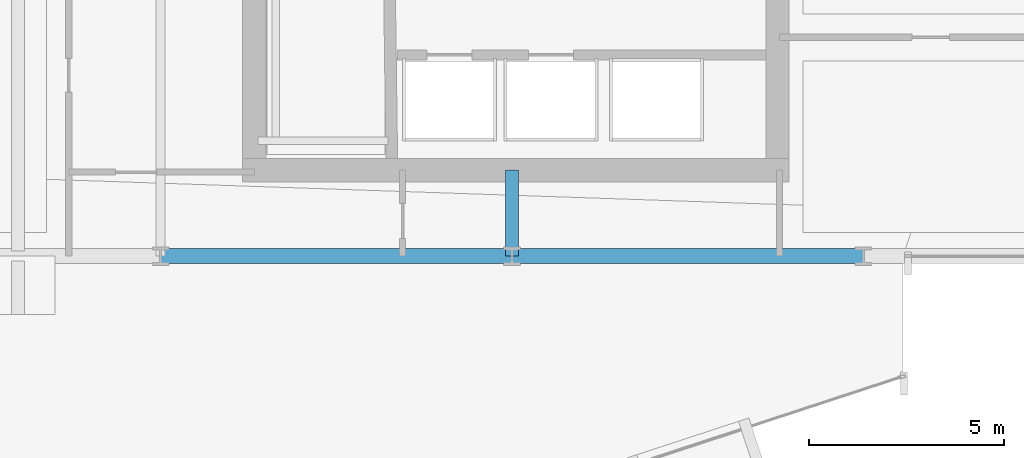
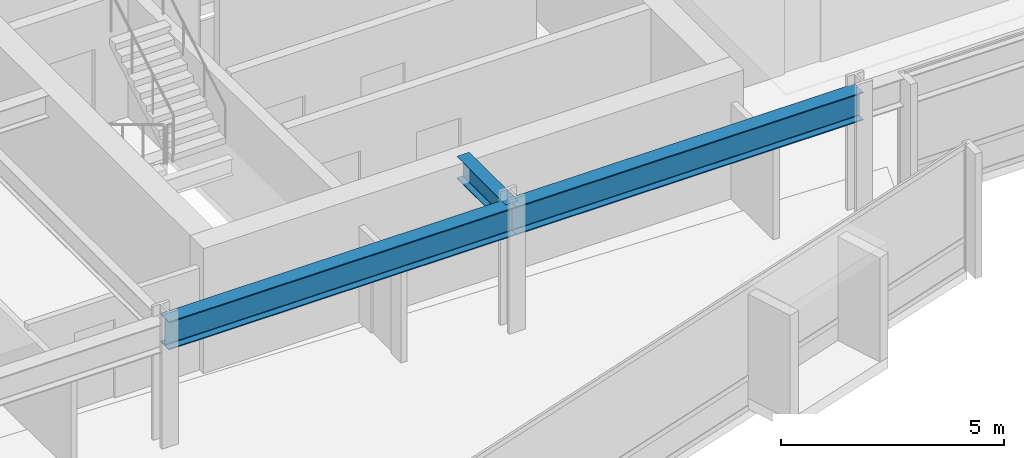
# One storey, part 11 of 34: 3 beams.
"""IFC4 building model written with IfcOpenShell, lengths in metres."""

from ifc_helpers import new_model, si_unit, direction, frame, origin, origin_2d, place, context, subcontext, project, spatial, i_section, extrude, material, material_profile, profile_set, type_object, element, save


model = new_model("IFC4")

# Units and contexts
model_context = context("Model", 3, precision=1e-05, world=origin(), true_north=direction((0.0, 1.0)))
body_context = subcontext(model_context, "Body", "Model", "MODEL_VIEW")
ifc_project = project(units=[si_unit("LENGTHUNIT", "METRE"), si_unit("AREAUNIT", "SQUARE_METRE"), si_unit("VOLUMEUNIT", "CUBIC_METRE"), si_unit("PLANEANGLEUNIT", "RADIAN"), si_unit("MASSUNIT", "GRAM", prefix="KILO")], contexts=[model_context])

# Site, building, storey
site_placement = place(None, origin())
site = spatial("IfcSite", under=ifc_project, at=site_placement, CompositionType="ELEMENT")
building_placement = place(site_placement, origin())
building = spatial("IfcBuilding", under=site, at=building_placement, Name="Solvaryn Broadcast Tower", CompositionType="ELEMENT")
storey_placement = place(building_placement, frame((0.0, 0.0, 76.699951171875)))
storey = spatial("IfcBuildingStorey", under=building, at=storey_placement, Name="L18", CompositionType="ELEMENT", Elevation=76.699951171875)

# Beams
ifc_material_1 = material(Name="Steel ASTM A992 Grade 50", Category="steel")
ifc_material_profile_1 = material_profile(ifc_material_1, i_section(OverallWidth=0.323974609375, OverallDepth=0.611083984375, WebThickness=0.0126953125, FlangeThickness=0.01904296875, FilletRadius=0.014892578125, at=origin_2d()))
ifc_profile_set_1 = profile_set([ifc_material_profile_1], Name="Steel ASTM A992 Grade 50")
beam_type_1 = type_object("IfcBeamType", Name="BM-B1-W24X104", PredefinedType="BEAM", material=ifc_profile_set_1)
beam_placement = place(storey_placement, frame((36.0, 9.0, 3.114501953125), z_axis=(0.0, 1.0, 0.0), x_axis=(-1.0, 0.0, 0.0)))
element("IfcBeam", 1, at=beam_placement, inside=storey, type_object=beam_type_1, Name="L18 Core Tie Beam CTE1", PredefinedType="BEAM", context=body_context, shape_type="SweptSolid", body=[
    extrude(i_section(OverallWidth=0.323974609375, OverallDepth=0.611083984375, WebThickness=0.0126953125, FlangeThickness=0.01904296875, FilletRadius=0.014892578125, at=origin_2d()), origin(), (0.0, 0.0, 1.0), 2.199951171875),
])
ifc_material_2 = material(Name="Steel ASTM A992 Grade 50", Category="steel")
ifc_material_profile_2 = material_profile(ifc_material_2, i_section(OverallWidth=0.381103515625, OverallDepth=0.77294921875, WebThickness=0.0166015625, FlangeThickness=0.027099609375, FilletRadius=0.01806640625, at=origin_2d()))
ifc_profile_set_2 = profile_set([ifc_material_profile_2], Name="Steel ASTM A992 Grade 50")
beam_type_2 = type_object("IfcBeamType", Name="BM-SP1-W30X173", PredefinedType="USERDEFINED", material=ifc_profile_set_2)
for number, where, z_axis, x_axis, name in (
    (2, (27.0, 9.0, 3.033447265625), (1.0, 0.0, 0.0), (0.0, 1.0, 0.0), "L18 Spandrel Beam X (27-36 @ Y=9)"),
    (3, (36.0, 9.0, 3.033447265625), (1.0, 0.0, 0.0), (0.0, 1.0, 0.0), "L18 Spandrel Beam X (36-45 @ Y=9)"),
):
    element("IfcBeam", number, at=place(storey_placement, frame(where, z_axis=z_axis, x_axis=x_axis)), inside=storey, type_object=beam_type_2, Name=name, ObjectType="SPANDREL", PredefinedType="USERDEFINED", context=body_context, shape_type="SweptSolid", body=[
        extrude(i_section(OverallWidth=0.381103515625, OverallDepth=0.77294921875, WebThickness=0.0166015625, FlangeThickness=0.027099609375, FilletRadius=0.01806640625, at=origin_2d()), origin(), (0.0, 0.0, 1.0), 9.0),
    ])

save(model, "model.ifc")
